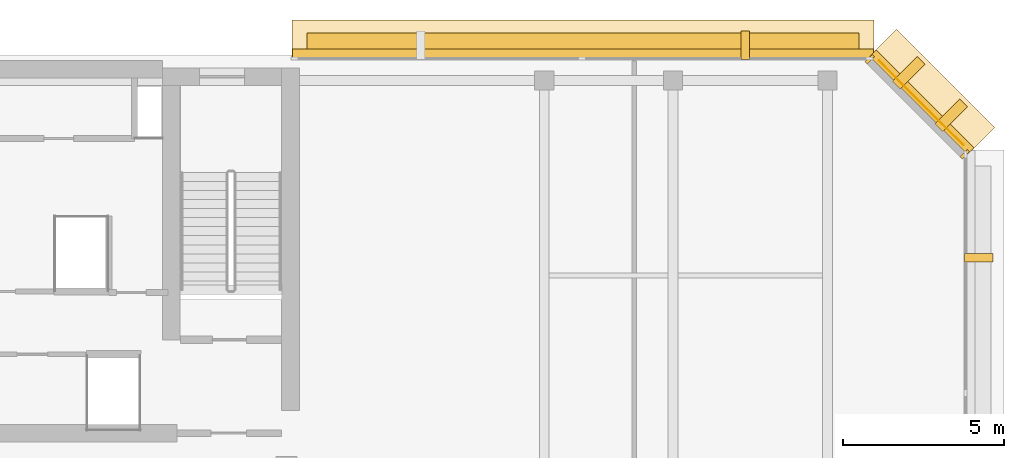
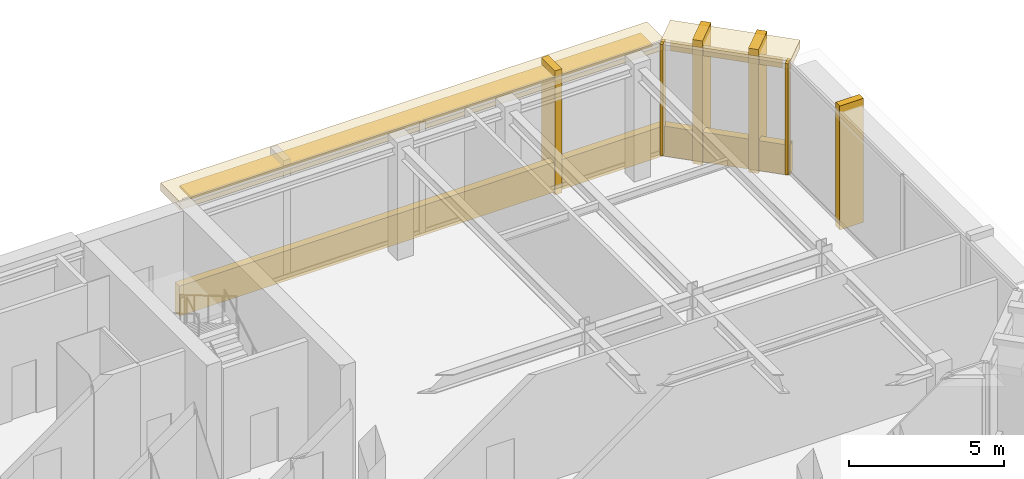
# One storey, part 11 of 11: 11 coverings, 1 shading device.
"""IFC4 building model written with IfcOpenShell, lengths in metres."""

from ifc_helpers import new_model, si_unit, direction, frame, origin, origin_2d, place, context, subcontext, project, spatial, rectangle, extrude, material, layer, layer_set, type_object, element, save


model = new_model("IFC4")

# Units and contexts
model_context = context("Model", 3, precision=1e-05, world=origin(), true_north=direction((0.0, 1.0)))
body_context = subcontext(model_context, "Body", "Model", "MODEL_VIEW")
ifc_project = project(units=[si_unit("LENGTHUNIT", "METRE"), si_unit("AREAUNIT", "SQUARE_METRE"), si_unit("VOLUMEUNIT", "CUBIC_METRE"), si_unit("PLANEANGLEUNIT", "RADIAN"), si_unit("MASSUNIT", "GRAM", prefix="KILO")], contexts=[model_context])

# Site, building, storey
site_placement = place(None, origin())
site = spatial("IfcSite", under=ifc_project, at=site_placement, CompositionType="ELEMENT")
building_placement = place(site_placement, origin())
building = spatial("IfcBuilding", under=site, at=building_placement, Name="Kefirva Bronze Tower", CompositionType="ELEMENT")
storey_placement = place(building_placement, frame((0.0, 0.0, 347.489990234375)))
storey = spatial("IfcBuildingStorey", under=building, at=storey_placement, Name="L85", CompositionType="ELEMENT", Elevation=347.489990234375)

# Coverings
ifc_material = material(Name="Bronze anodised aluminium", Category="aluminium")
ifc_layer_1 = layer(ifc_material, 0.02001953125, Name="Bronze anodised aluminium")
ifc_layer_set_1 = layer_set([ifc_layer_1], Name="Bronze anodised aluminium")
covering_type_1 = type_object("IfcCoveringType", Name="Anodised Bronze Spandrel Cladding 20mm", PredefinedType="CLADDING", material=ifc_layer_set_1)
covering_1_placement = place(storey_placement, frame((42.906982421875, 44.507080078125, 3.949951171875), z_axis=(0.0, 0.0, 1.0), x_axis=(-0.707106781187, 0.707106781187, 0.0)))
element("IfcCovering", 1, at=covering_1_placement, inside=storey, type_object=covering_type_1, Name="L85 Bronze Spandrel Cladding 6", PredefinedType="CLADDING", context=body_context, shape_type="SweptSolid", body=[
    extrude(rectangle(XDim=3.719482421875, YDim=0.02001953125, at=origin_2d()), origin(), (0.0, 0.0, 1.0), 0.39990234375),
])
for number, where, z_axis, x_axis, name in (
    (2, (44.26220703125, 42.91162109375, 0.0), (0.0, 0.0, 1.0), (-0.707106781187, 0.707106781187, 0.0), "L85 Facade Joint Closure Panel 6S"),
    (3, (41.311767578125, 45.862060546875, 0.0), (0.0, 0.0, 1.0), (-0.707106781187, 0.707106781187, 0.0), "L85 Facade Joint Closure Panel 6E"),
):
    element("IfcCovering", number, at=place(storey_placement, frame(where, z_axis=z_axis, x_axis=x_axis)), inside=storey, type_object=covering_type_1, Name=name, PredefinedType="CLADDING", context=body_context, shape_type="SweptSolid", body=[
        extrude(rectangle(XDim=0.10009765625, YDim=0.320068359375, at=origin_2d()), origin(), (0.0, 0.0, 1.0), 4.3701171875),
    ])
covering_2_placement = place(storey_placement, frame((42.92822265625, 44.5283203125, -0.16015625), z_axis=(0.0, 0.0, 1.0), x_axis=(-0.707106781187, 0.707106781187, 0.0)))
element("IfcCovering", 4, at=covering_2_placement, inside=storey, type_object=covering_type_1, Name="L85 Streamline Horizontal Spandrel Band 7", PredefinedType="CLADDING", context=body_context, shape_type="SweptSolid", body=[
    extrude(rectangle(XDim=4.28271484375, YDim=0.280029296875, at=origin_2d()), origin(), (0.0, 0.0, 1.0), 1.179931640625),
])
covering_3_placement = place(storey_placement, frame((32.402587890625, 46.0400390625, -0.16015625), z_axis=(0.0, 0.0, 1.0), x_axis=(-1.0, 0.0, 0.0)))
element("IfcCovering", 5, at=covering_3_placement, inside=storey, type_object=covering_type_1, Name="L85 Streamline Horizontal Spandrel Band 8", PredefinedType="CLADDING", context=body_context, shape_type="SweptSolid", body=[
    extrude(rectangle(XDim=18.034912109375, YDim=0.280029296875, at=origin_2d()), origin(), (0.0, 0.0, 1.0), 1.179931640625),
])

# Shading device
ifc_layer_2 = layer(ifc_material, 0.090087890625, Name="Bronze anodised aluminium")
ifc_layer_set_2 = layer_set([ifc_layer_2], Name="Bronze anodised aluminium")
shading_device_type = type_object("IfcShadingDeviceType", Name="Horizontal Bronze Sunshade Band 750mm", PredefinedType="JALOUSIE", material=ifc_layer_set_2)
shading_device_placement = place(storey_placement, frame((32.402587890625, 46.294921875, 4.26513671875), z_axis=(0.0, 0.0, 1.0), x_axis=(-1.0, 0.0, 0.0)))
element("IfcShadingDevice", 6, at=shading_device_placement, inside=storey, type_object=shading_device_type, Name="L85 Horizontal Bronze Sunshade Band 8", PredefinedType="JALOUSIE", context=body_context, shape_type="SweptSolid", body=[
    extrude(rectangle(XDim=17.139892578125, YDim=0.75, at=origin_2d()), origin(), (0.0, 0.0, 1.0), 0.090087890625),
])

# Coverings
ifc_layer_3 = layer(ifc_material, 0.179931640625, Name="Bronze anodised aluminium")
ifc_layer_set_3 = layer_set([ifc_layer_3], Name="Bronze anodised aluminium")
covering_type_2 = type_object("IfcCoveringType", Name="Streamline Bronze Sunshade Eyebrow Cladding 180mm", PredefinedType="CLADDING", material=ifc_layer_set_3)
covering_4_placement = place(storey_placement, frame((43.225341796875, 44.8251953125, 4.0498046875), z_axis=(0.0, 0.0, 1.0), x_axis=(-0.707106781187, 0.707106781187, 0.0)))
element("IfcCovering", 7, at=covering_4_placement, inside=storey, type_object=covering_type_2, Name="L85 Streamline Bronze Sunshade Eyebrow 7", PredefinedType="CLADDING", context=body_context, shape_type="SweptSolid", body=[
    extrude(rectangle(XDim=4.322509765625, YDim=1.239990234375, at=origin_2d()), origin(), (0.0, 0.0, 1.0), 0.320068359375),
])
covering_5_placement = place(storey_placement, frame((32.402587890625, 46.4599609375, 4.0498046875), z_axis=(0.0, 0.0, 1.0), x_axis=(-1.0, 0.0, 0.0)))
element("IfcCovering", 8, at=covering_5_placement, inside=storey, type_object=covering_type_2, Name="L85 Streamline Bronze Sunshade Eyebrow 8", PredefinedType="CLADDING", context=body_context, shape_type="SweptSolid", body=[
    extrude(rectangle(XDim=18.074951171875, YDim=1.239990234375, at=origin_2d()), origin(), (0.0, 0.0, 1.0), 0.320068359375),
])
ifc_layer_4 = layer(ifc_material, 0.260009765625, Name="Bronze anodised aluminium")
ifc_layer_set_4 = layer_set([ifc_layer_4], Name="Bronze anodised aluminium")
covering_type_3 = type_object("IfcCoveringType", Name="Unbroken Bronze Buttress Fin Cladding 260mm", PredefinedType="CLADDING", material=ifc_layer_set_4)
covering_6_placement = place(storey_placement, frame((44.699951171875, 39.699951171875, -0.25), z_axis=(0.0, 0.0, 1.0), x_axis=(0.0, 1.0, 0.0)))
element("IfcCovering", 9, at=covering_6_placement, inside=storey, type_object=covering_type_3, Name="L85 Unbroken Vertical Bronze Rib Fin 12", PredefinedType="CLADDING", context=body_context, shape_type="SweptSolid", body=[
    extrude(rectangle(XDim=0.260009765625, YDim=0.8798828125, at=origin_2d()), origin(), (0.0, 0.0, 1.0), 4.8701171875),
])
for number, where, z_axis, x_axis, name in (
    (10, (43.8427734375, 44.122802734375, -0.25), (0.0, 0.0, 1.0), (-0.707106781187, 0.707106781187, 0.0), "L85 Chamfered Corner Buttress Fin Cladding 13"),
    (11, (42.522705078125, 45.44287109375, -0.25), (0.0, 0.0, 1.0), (-0.707106781187, 0.707106781187, 0.0), "L85 Chamfered Corner Buttress Fin Cladding 14"),
):
    element("IfcCovering", number, at=place(storey_placement, frame(where, z_axis=z_axis, x_axis=x_axis)), inside=storey, type_object=covering_type_3, Name=name, PredefinedType="CLADDING", context=body_context, shape_type="SweptSolid", body=[
        extrude(rectangle(XDim=0.340087890625, YDim=1.080078125, at=origin_2d()), origin(), (0.0, 0.0, 1.0), 4.8701171875),
    ])
covering_7_placement = place(storey_placement, frame((37.441162109375, 46.300048828125, -0.25), z_axis=(0.0, 0.0, 1.0), x_axis=(-1.0, 0.0, 0.0)))
element("IfcCovering", 12, at=covering_7_placement, inside=storey, type_object=covering_type_3, Name="L85 Unbroken Vertical Bronze Rib Fin 15", PredefinedType="CLADDING", context=body_context, shape_type="SweptSolid", body=[
    extrude(rectangle(XDim=0.260009765625, YDim=0.8798828125, at=origin_2d()), origin(), (0.0, 0.0, 1.0), 4.8701171875),
])

save(model, "model.ifc")
